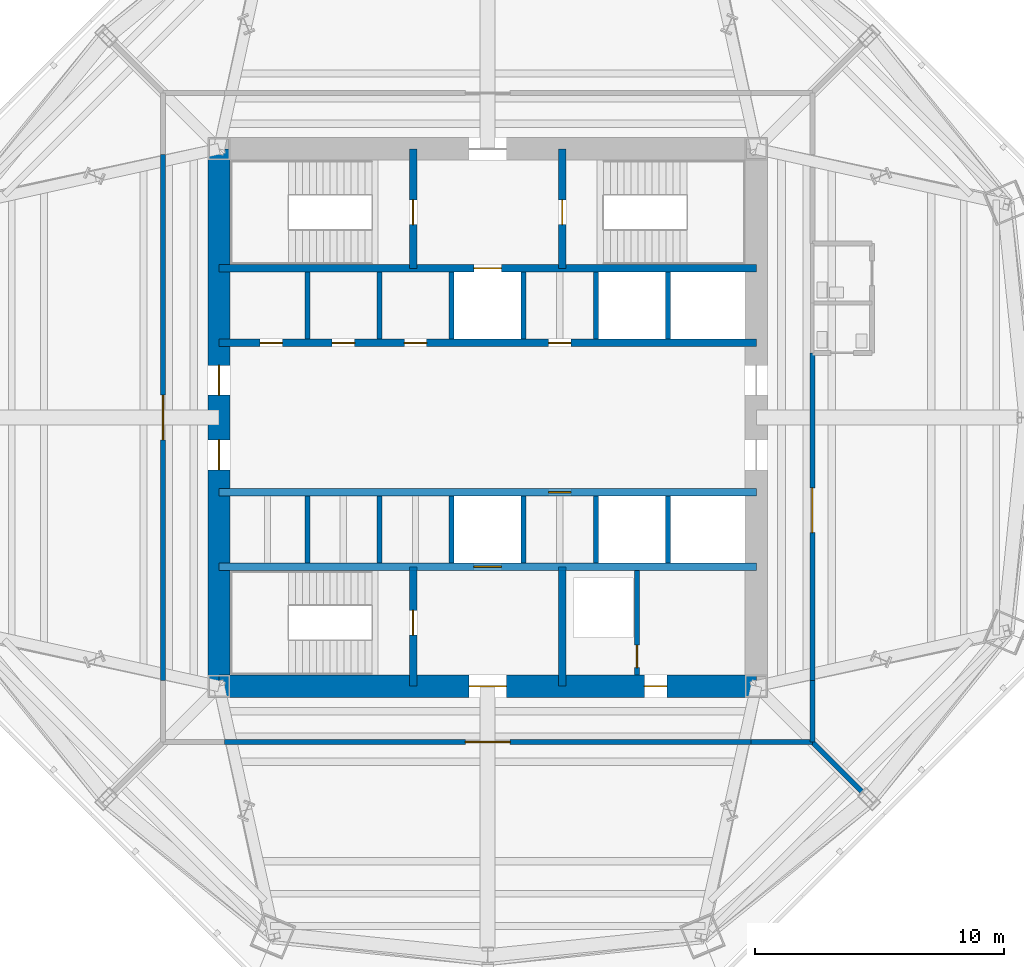
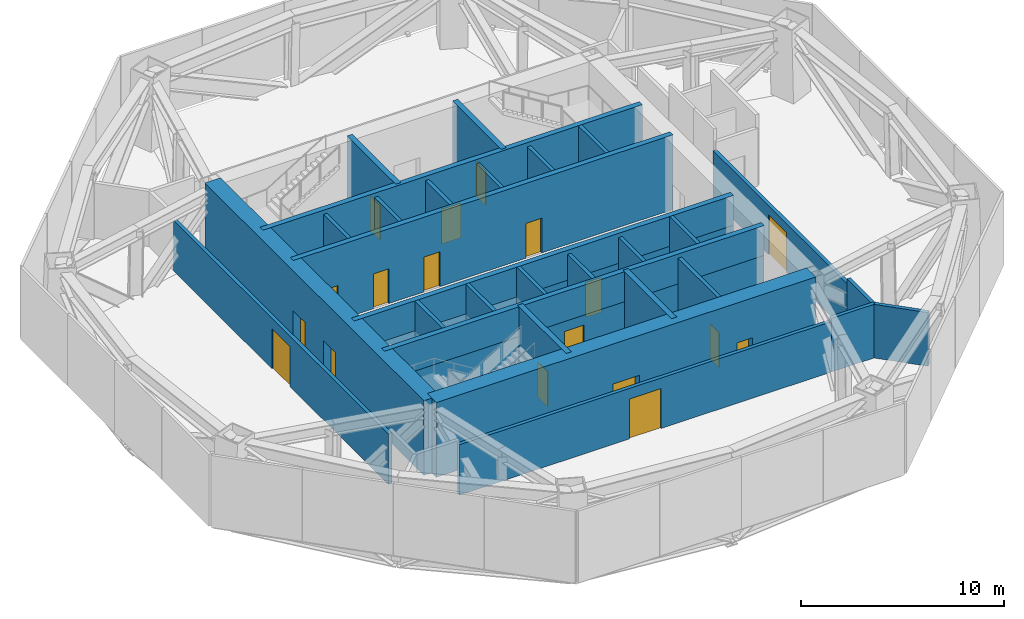
# One storey, part 5 of 10: 31 walls, 18 doors, 18 openings.
"""IFC4 building model written with IfcOpenShell, lengths in metres."""

from ifc_helpers import new_model, si_unit, direction, frame, frame_2d, origin, place, context, subcontext, project, spatial, rectangle, extrude, material, layer, layer_set, type_object, element, fill, save


model = new_model("IFC4")

# Units and contexts
model_context = context("Model", 3, precision=1e-05, world=origin(), true_north=direction((0.0, 1.0)))
body_context = subcontext(model_context, "Body", "Model", "MODEL_VIEW")
ifc_project = project(units=[si_unit("LENGTHUNIT", "METRE"), si_unit("AREAUNIT", "SQUARE_METRE"), si_unit("VOLUMEUNIT", "CUBIC_METRE"), si_unit("PLANEANGLEUNIT", "RADIAN"), si_unit("MASSUNIT", "GRAM", prefix="KILO")], contexts=[model_context])

# Site, building, storey
site_placement = place(None, origin())
site = spatial("IfcSite", under=ifc_project, at=site_placement, CompositionType="ELEMENT")
building_placement = place(site_placement, origin())
building = spatial("IfcBuilding", under=site, at=building_placement, Name="Mashrafa Tower", CompositionType="ELEMENT")
storey_placement = place(building_placement, frame((0.0, 0.0, 193.5)))
storey = spatial("IfcBuildingStorey", under=building, at=storey_placement, Name="L44", CompositionType="ELEMENT", Elevation=193.5)

# Wall
ifc_material_1 = material(Name="Concrete masonry unit", Category="masonry")
ifc_layer_1 = layer(ifc_material_1, 0.199951171875)
ifc_layer_set_1 = layer_set([ifc_layer_1], Name="Blockwork wall 200 2 hr")
wall_type_1 = type_object("IfcWallType", Name="Blockwork wall 200 2 hr", PredefinedType="PARTITIONING", material=ifc_layer_set_1)
wall_1_placement = place(storey_placement, frame((13.050048828125, -13.050048828125, 0.0), z_axis=(0.0, 0.0, 1.0), x_axis=(0.0, 1.0, 0.0)))
element("IfcWall", 1, at=wall_1_placement, inside=storey, type_object=wall_type_1, Name="Blockwork wall L44-003", PredefinedType="PARTITIONING", context=body_context, shape_type="SweptSolid", body=[
    extrude(rectangle(XDim=2.46923828125, YDim=0.199951171875, at=frame_2d((1.234619140625, 0.0))), origin(), (0.0, 0.0, 1.0), 3.22900390625),
])

# Wall, opening, door
wall_2_placement = place(storey_placement, frame((13.050048828125, -10.578857421875, 0.0), z_axis=(0.0, 0.0, 1.0), x_axis=(0.0, 1.0, 0.0)))
wall_2 = element("IfcWall", 2, at=wall_2_placement, inside=storey, type_object=wall_type_1, Name="Blockwork wall L44-004", PredefinedType="PARTITIONING", context=body_context, shape_type="SweptSolid", body=[
    extrude(rectangle(XDim=13.179931640625, YDim=0.199951171875, at=frame_2d((6.58984375, 0.0))), origin(), (0.0, 0.0, 1.0), 2.93994140625),
])
opening_1_placement = place(wall_2_placement, frame((5.94970703125, 0.0, 0.0)))
opening_1 = element("IfcOpeningElement", 3, at=opening_1_placement, cuts=wall_2, Name="Opening 44.003", PredefinedType="OPENING", context=body_context, shape_type="SweptSolid", body=[
    extrude(rectangle(XDim=1.800048828125, YDim=2.39990234375, at=frame_2d((0.89990234375, 1.199951171875))), frame((0.0, 0.10986328125, 0.0), z_axis=(0.0, -1.0, 0.0), x_axis=(1.0, 0.0, 0.0)), (0.0, 0.0, 1.0), 0.219970703125),
])
ifc_material_2 = material(Name="Steel door", Category="steel")
door_type_1 = type_object("IfcDoorType", Name="Door pair 1800 x 2400 90 min", OperationType="DOUBLE_DOOR_SINGLE_SWING", PredefinedType="DOOR", material=ifc_material_2)
door_1_placement = place(opening_1_placement, origin())
door_1 = element("IfcDoor", 4, at=door_1_placement, inside=storey, type_object=door_type_1, Name="Refuge Area L44 East door", OperationType="DOUBLE_DOOR_SINGLE_SWING", OverallHeight=2.39990234375, OverallWidth=1.800048828125, PredefinedType="DOOR", context=body_context, shape_type="SweptSolid", body=[
    extrude(rectangle(XDim=1.800048828125, YDim=2.39990234375, at=frame_2d((0.89990234375, 1.199951171875))), frame((0.0, 0.02490234375, 0.0), z_axis=(0.0, -1.0, 0.0), x_axis=(1.0, 0.0, 0.0)), (0.0, 0.0, 1.0), 0.050048828125),
])
fill(opening_1, door_1)

wall_3_placement = place(storey_placement, frame((-13.050048828125, 10.578857421875, 0.0), z_axis=(0.0, 0.0, 1.0), x_axis=(0.0, -1.0, 0.0)))
wall_3 = element("IfcWall", 5, at=wall_3_placement, inside=storey, type_object=wall_type_1, Name="Blockwork wall L44-008", PredefinedType="PARTITIONING", context=body_context, shape_type="SweptSolid", body=[
    extrude(rectangle(XDim=21.15771484375, YDim=0.199951171875, at=frame_2d((10.578857421875, 0.0))), origin(), (0.0, 0.0, 1.0), 3.0400390625),
])
opening_2_placement = place(wall_3_placement, frame((9.678955078125, 0.0, 0.0)))
opening_2 = element("IfcOpeningElement", 6, at=opening_2_placement, cuts=wall_3, Name="Opening 44.004", PredefinedType="OPENING", context=body_context, shape_type="SweptSolid", body=[
    extrude(rectangle(XDim=1.800048828125, YDim=2.39990234375, at=frame_2d((0.89990234375, 1.199951171875))), frame((0.0, 0.10986328125, 0.0), z_axis=(0.0, -1.0, 0.0), x_axis=(1.0, 0.0, 0.0)), (0.0, 0.0, 1.0), 0.219970703125),
])
door_2_placement = place(opening_2_placement, origin())
door_2 = element("IfcDoor", 7, at=door_2_placement, inside=storey, type_object=door_type_1, Name="Refuge Area L44 West door", OperationType="DOUBLE_DOOR_SINGLE_SWING", OverallHeight=2.39990234375, OverallWidth=1.800048828125, PredefinedType="DOOR", context=body_context, shape_type="SweptSolid", body=[
    extrude(rectangle(XDim=1.800048828125, YDim=2.39990234375, at=frame_2d((0.89990234375, 1.199951171875))), frame((0.0, 0.02490234375, 0.0), z_axis=(0.0, -1.0, 0.0), x_axis=(1.0, 0.0, 0.0)), (0.0, 0.0, 1.0), 0.050048828125),
])
fill(opening_2, door_2)

wall_4_placement = place(storey_placement, frame((-10.578857421875, -13.050048828125, 0.0), z_axis=(0.0, 0.0, 1.0), x_axis=(1.0, 0.0, 0.0)))
wall_4 = element("IfcWall", 8, at=wall_4_placement, inside=storey, type_object=wall_type_1, Name="Blockwork wall L44-014", PredefinedType="PARTITIONING", context=body_context, shape_type="SweptSolid", body=[
    extrude(rectangle(XDim=21.15771484375, YDim=0.199951171875, at=frame_2d((10.578857421875, 0.0))), origin(), (0.0, 0.0, 1.0), 3.0400390625),
])
opening_3_placement = place(wall_4_placement, frame((9.678955078125, 0.0, 0.0)))
opening_3 = element("IfcOpeningElement", 9, at=opening_3_placement, cuts=wall_4, Name="Opening 44.006", PredefinedType="OPENING", context=body_context, shape_type="SweptSolid", body=[
    extrude(rectangle(XDim=1.800048828125, YDim=2.39990234375, at=frame_2d((0.89990234375, 1.199951171875))), frame((0.0, 0.10986328125, 0.0), z_axis=(0.0, -1.0, 0.0), x_axis=(1.0, 0.0, 0.0)), (0.0, 0.0, 1.0), 0.219970703125),
])
door_3_placement = place(opening_3_placement, frame((1.800048828125, 0.0, 0.0), z_axis=(0.0, 0.0, 1.0), x_axis=(-1.0, 0.0, 0.0)))
door_3 = element("IfcDoor", 10, at=door_3_placement, inside=storey, type_object=door_type_1, Name="Transfer Water Tank Room L44 door", OperationType="DOUBLE_DOOR_SINGLE_SWING", OverallHeight=2.39990234375, OverallWidth=1.800048828125, PredefinedType="DOOR", context=body_context, shape_type="SweptSolid", body=[
    extrude(rectangle(XDim=1.800048828125, YDim=2.39990234375, at=frame_2d((0.89990234375, 1.199951171875))), frame((0.0, 0.02490234375, 0.0), z_axis=(0.0, -1.0, 0.0), x_axis=(1.0, 0.0, 0.0)), (0.0, 0.0, 1.0), 0.050048828125),
])
fill(opening_3, door_3)

# Walls
wall_5_placement = place(storey_placement, frame((10.580810546875, -13.050048828125, 0.0), z_axis=(0.0, 0.0, 1.0), x_axis=(1.0, 0.0, 0.0)))
element("IfcWall", 11, at=wall_5_placement, inside=storey, type_object=wall_type_1, Name="Blockwork wall L44-015", PredefinedType="PARTITIONING", context=body_context, shape_type="SweptSolid", body=[
    extrude(rectangle(XDim=2.46923828125, YDim=0.199951171875, at=frame_2d((1.234619140625, 0.0))), origin(), (0.0, 0.0, 1.0), 3.22900390625),
])
wall_6_placement = place(storey_placement, frame((13.050048828125, -13.050048828125, 0.0), z_axis=(0.0, 0.0, 1.0), x_axis=(0.707106781187, -0.707106781187, 0.0)))
element("IfcWall", 12, at=wall_6_placement, inside=storey, type_object=wall_type_1, Name="Blockwork wall L44-022", PredefinedType="PARTITIONING", context=body_context, shape_type="SweptSolid", body=[
    extrude(rectangle(XDim=2.808837890625, YDim=0.199951171875, at=frame_2d((1.404296875, 0.0))), origin(), (0.0, 0.0, 1.0), 3.22900390625),
])

# Wall, opening, door
wall_7_placement = place(storey_placement, frame((6.0, -10.35009765625, 0.0), z_axis=(0.0, 0.0, 1.0), x_axis=(0.0, 1.0, 0.0)))
wall_7 = element("IfcWall", 13, at=wall_7_placement, inside=storey, type_object=wall_type_1, Name="Riser enclosure wall L44", PredefinedType="PARTITIONING", context=body_context, shape_type="SweptSolid", body=[
    extrude(rectangle(XDim=4.2001953125, YDim=0.199951171875, at=frame_2d((2.10009765625, 0.0))), origin(), (0.0, 0.0, 1.0), 4.25),
])
opening_4_placement = place(wall_7_placement, frame((0.300048828125, 0.0, 0.0)))
opening_4 = element("IfcOpeningElement", 14, at=opening_4_placement, cuts=wall_7, Name="Opening 44.017", PredefinedType="OPENING", context=body_context, shape_type="SweptSolid", body=[
    extrude(rectangle(XDim=0.89990234375, YDim=2.10009765625, at=frame_2d((0.449951171875, 1.050048828125))), frame((0.0, 0.10986328125, 0.0), z_axis=(0.0, -1.0, 0.0), x_axis=(1.0, 0.0, 0.0)), (0.0, 0.0, 1.0), 0.219970703125),
])
ifc_material_3 = material(Name="Steel door", Category="steel")
door_type_2 = type_object("IfcDoorType", Name="Service door 900 x 2100 90 min", OperationType="USERDEFINED", PredefinedType="DOOR", material=ifc_material_3)
door_4_placement = place(opening_4_placement, origin())
door_4 = element("IfcDoor", 15, at=door_4_placement, inside=storey, type_object=door_type_2, Name="Riser door L44", OperationType="SINGLE_SWING_LEFT", OverallHeight=2.10009765625, OverallWidth=0.89990234375, PredefinedType="DOOR", context=body_context, shape_type="SweptSolid", body=[
    extrude(rectangle(XDim=0.89990234375, YDim=2.10009765625, at=frame_2d((0.449951171875, 1.050048828125))), frame((0.0, 0.02490234375, 0.0), z_axis=(0.0, -1.0, 0.0), x_axis=(1.0, 0.0, 0.0)), (0.0, 0.0, 1.0), 0.050048828125),
])
fill(opening_4, door_4)

# Wall, openings, doors
ifc_material_4 = material(Name="Concrete C60/75", Category="concrete")
ifc_layer_2 = layer(ifc_material_4, 0.300048828125)
ifc_layer_set_2 = layer_set([ifc_layer_2], Name="Core wall 300 C60/75")
wall_type_2 = type_object("IfcWallType", Name="Core wall 300 C60/75", PredefinedType="SOLIDWALL", material=ifc_layer_set_2)
wall_8_placement = place(storey_placement, frame((-10.800048828125, 3.0, 0.0), z_axis=(0.0, 0.0, 1.0), x_axis=(1.0, 0.0, 0.0)))
wall_8 = element("IfcWall", 16, at=wall_8_placement, inside=storey, type_object=wall_type_2, Name="Core wall CH-N L44", PredefinedType="SOLIDWALL", context=body_context, shape_type="SweptSolid", body=[
    extrude(rectangle(XDim=21.60009765625, YDim=0.300048828125, at=frame_2d((10.800048828125, 0.0))), origin(), (0.0, 0.0, 1.0), 4.5),
])
opening_5_placement = place(wall_8_placement, frame((1.64990234375, 0.0, 0.0)))
opening_5 = element("IfcOpeningElement", 17, at=opening_5_placement, cuts=wall_8, Name="Opening 44.018", PredefinedType="OPENING", context=body_context, shape_type="SweptSolid", body=[
    extrude(rectangle(XDim=0.89990234375, YDim=2.10009765625, at=frame_2d((0.449951171875, 1.050048828125))), frame((0.0, 0.159912109375, 0.0), z_axis=(0.0, -1.0, 0.0), x_axis=(1.0, 0.0, 0.0)), (0.0, 0.0, 1.0), 0.320068359375),
])
opening_6_placement = place(wall_8_placement, frame((4.550048828125, 0.0, 0.0)))
opening_6 = element("IfcOpeningElement", 18, at=opening_6_placement, cuts=wall_8, Name="Opening 44.019", PredefinedType="OPENING", context=body_context, shape_type="SweptSolid", body=[
    extrude(rectangle(XDim=0.89990234375, YDim=2.10009765625, at=frame_2d((0.449951171875, 1.050048828125))), frame((0.0, 0.159912109375, 0.0), z_axis=(0.0, -1.0, 0.0), x_axis=(1.0, 0.0, 0.0)), (0.0, 0.0, 1.0), 0.320068359375),
])
opening_7_placement = place(wall_8_placement, frame((7.449951171875, 0.0, 0.0)))
opening_7 = element("IfcOpeningElement", 19, at=opening_7_placement, cuts=wall_8, Name="Opening 44.020", PredefinedType="OPENING", context=body_context, shape_type="SweptSolid", body=[
    extrude(rectangle(XDim=0.89990234375, YDim=2.10009765625, at=frame_2d((0.449951171875, 1.050048828125))), frame((0.0, 0.159912109375, 0.0), z_axis=(0.0, -1.0, 0.0), x_axis=(1.0, 0.0, 0.0)), (0.0, 0.0, 1.0), 0.320068359375),
])
opening_8_placement = place(wall_8_placement, frame((13.25, 0.0, 0.0)))
opening_8 = element("IfcOpeningElement", 20, at=opening_8_placement, cuts=wall_8, Name="Opening 44.021", PredefinedType="OPENING", context=body_context, shape_type="SweptSolid", body=[
    extrude(rectangle(XDim=0.89990234375, YDim=2.10009765625, at=frame_2d((0.449951171875, 1.050048828125))), frame((0.0, 0.159912109375, 0.0), z_axis=(0.0, -1.0, 0.0), x_axis=(1.0, 0.0, 0.0)), (0.0, 0.0, 1.0), 0.320068359375),
])
ifc_material_5 = material(Name="Timber door", Category="wood")
door_type_3 = type_object("IfcDoorType", Name="Store door 900 x 2100", OperationType="USERDEFINED", PredefinedType="DOOR", material=ifc_material_5)
door_5_placement = place(opening_5_placement, origin())
door_5 = element("IfcDoor", 21, at=door_5_placement, inside=storey, type_object=door_type_3, Name="Plant Store L44-A1 door", OperationType="SINGLE_SWING_RIGHT", OverallHeight=2.10009765625, OverallWidth=0.89990234375, PredefinedType="DOOR", context=body_context, shape_type="SweptSolid", body=[
    extrude(rectangle(XDim=0.89990234375, YDim=2.10009765625, at=frame_2d((0.449951171875, 1.050048828125))), frame((0.0, 0.02490234375, 0.0), z_axis=(0.0, -1.0, 0.0), x_axis=(1.0, 0.0, 0.0)), (0.0, 0.0, 1.0), 0.050048828125),
])
fill(opening_5, door_5)
door_6_placement = place(opening_6_placement, origin())
door_6 = element("IfcDoor", 22, at=door_6_placement, inside=storey, type_object=door_type_3, Name="Plant Store L44-A2 door", OperationType="SINGLE_SWING_LEFT", OverallHeight=2.10009765625, OverallWidth=0.89990234375, PredefinedType="DOOR", context=body_context, shape_type="SweptSolid", body=[
    extrude(rectangle(XDim=0.89990234375, YDim=2.10009765625, at=frame_2d((0.449951171875, 1.050048828125))), frame((0.0, 0.02490234375, 0.0), z_axis=(0.0, -1.0, 0.0), x_axis=(1.0, 0.0, 0.0)), (0.0, 0.0, 1.0), 0.050048828125),
])
fill(opening_6, door_6)
door_7_placement = place(opening_7_placement, origin())
door_7 = element("IfcDoor", 23, at=door_7_placement, inside=storey, type_object=door_type_3, Name="Plant Store L44-A3 door", OperationType="SINGLE_SWING_LEFT", OverallHeight=2.10009765625, OverallWidth=0.89990234375, PredefinedType="DOOR", context=body_context, shape_type="SweptSolid", body=[
    extrude(rectangle(XDim=0.89990234375, YDim=2.10009765625, at=frame_2d((0.449951171875, 1.050048828125))), frame((0.0, 0.02490234375, 0.0), z_axis=(0.0, -1.0, 0.0), x_axis=(1.0, 0.0, 0.0)), (0.0, 0.0, 1.0), 0.050048828125),
])
fill(opening_7, door_7)
door_8_placement = place(opening_8_placement, origin())
door_8 = element("IfcDoor", 24, at=door_8_placement, inside=storey, type_object=door_type_3, Name="Plant Store L44-A4 door", OperationType="SINGLE_SWING_LEFT", OverallHeight=2.10009765625, OverallWidth=0.89990234375, PredefinedType="DOOR", context=body_context, shape_type="SweptSolid", body=[
    extrude(rectangle(XDim=0.89990234375, YDim=2.10009765625, at=frame_2d((0.449951171875, 1.050048828125))), frame((0.0, 0.02490234375, 0.0), z_axis=(0.0, -1.0, 0.0), x_axis=(1.0, 0.0, 0.0)), (0.0, 0.0, 1.0), 0.050048828125),
])
fill(opening_8, door_8)

# Wall, opening, door
wall_9_placement = place(storey_placement, frame((-10.800048828125, 6.0, 0.0), z_axis=(0.0, 0.0, 1.0), x_axis=(1.0, 0.0, 0.0)))
wall_9 = element("IfcWall", 25, at=wall_9_placement, inside=storey, type_object=wall_type_2, Name="Core wall CB-N L44", PredefinedType="SOLIDWALL", context=body_context, shape_type="SweptSolid", body=[
    extrude(rectangle(XDim=21.60009765625, YDim=0.300048828125, at=frame_2d((10.800048828125, 0.0))), origin(), (0.0, 0.0, 1.0), 4.5),
])
opening_9_placement = place(wall_9_placement, frame((10.25, 0.0, 0.0)))
opening_9 = element("IfcOpeningElement", 26, at=opening_9_placement, cuts=wall_9, Name="Opening 44.F1", PredefinedType="OPENING", context=body_context, shape_type="SweptSolid", body=[
    extrude(rectangle(XDim=1.10009765625, YDim=2.10009765625, at=frame_2d((0.550048828125, 1.050048828125))), frame((0.0, 0.159912109375, 0.0), z_axis=(0.0, -1.0, 0.0), x_axis=(1.0, 0.0, 0.0)), (0.0, 0.0, 1.0), 0.320068359375),
])
ifc_material_6 = material(Name="Steel door", Category="steel")
door_type_4 = type_object("IfcDoorType", Name="Lift landing door 1100 x 2100 90 min", OperationType="DOUBLE_DOOR_SLIDING", PredefinedType="DOOR", material=ifc_material_6)
door_9_placement = place(opening_9_placement, origin())
door_9 = element("IfcDoor", 27, at=door_9_placement, inside=storey, type_object=door_type_4, Name="Lift landing door F1 L44", OperationType="DOUBLE_DOOR_SLIDING", OverallHeight=2.10009765625, OverallWidth=1.10009765625, PredefinedType="DOOR", context=body_context, shape_type="SweptSolid", body=[
    extrude(rectangle(XDim=1.10009765625, YDim=2.10009765625, at=frame_2d((0.550048828125, 1.050048828125))), frame((0.0, 0.02490234375, 0.0), z_axis=(0.0, -1.0, 0.0), x_axis=(1.0, 0.0, 0.0)), (0.0, 0.0, 1.0), 0.050048828125),
])
fill(opening_9, door_9)

wall_10_placement = place(storey_placement, frame((-3.0, 6.0, 0.0), z_axis=(0.0, 0.0, 1.0), x_axis=(0.0, 1.0, 0.0)))
wall_10 = element("IfcWall", 28, at=wall_10_placement, inside=storey, type_object=wall_type_2, Name="Core wall CX-NW L44", PredefinedType="SOLIDWALL", context=body_context, shape_type="SweptSolid", body=[
    extrude(rectangle(XDim=4.800048828125, YDim=0.300048828125, at=frame_2d((2.39990234375, 0.0))), origin(), (0.0, 0.0, 1.0), 4.5),
])
opening_10_placement = place(wall_10_placement, frame((1.75, 0.0, 0.0)))
opening_10 = element("IfcOpeningElement", 29, at=opening_10_placement, cuts=wall_10, Name="Opening 44.013", PredefinedType="OPENING", context=body_context, shape_type="SweptSolid", body=[
    extrude(rectangle(XDim=1.0, YDim=2.10009765625, at=frame_2d((0.5, 1.050048828125))), frame((0.0, 0.159912109375, 0.0), z_axis=(0.0, -1.0, 0.0), x_axis=(1.0, 0.0, 0.0)), (0.0, 0.0, 1.0), 0.320068359375),
])
ifc_material_7 = material(Name="Steel door", Category="steel")
door_type_5 = type_object("IfcDoorType", Name="Stair door 1000 x 2100 90 min", OperationType="USERDEFINED", PredefinedType="DOOR", material=ifc_material_7)
door_10_placement = place(opening_10_placement, origin())
door_10 = element("IfcDoor", 30, at=door_10_placement, inside=storey, type_object=door_type_5, Name="Stair S1 door L44", OperationType="SINGLE_SWING_LEFT", OverallHeight=2.10009765625, OverallWidth=1.0, PredefinedType="DOOR", context=body_context, shape_type="SweptSolid", body=[
    extrude(rectangle(XDim=1.0, YDim=2.10009765625, at=frame_2d((0.5, 1.050048828125))), frame((0.0, 0.02490234375, 0.0), z_axis=(0.0, -1.0, 0.0), x_axis=(1.0, 0.0, 0.0)), (0.0, 0.0, 1.0), 0.050048828125),
])
fill(opening_10, door_10)

wall_11_placement = place(storey_placement, frame((3.0, 6.0, 0.0), z_axis=(0.0, 0.0, 1.0), x_axis=(0.0, 1.0, 0.0)))
wall_11 = element("IfcWall", 31, at=wall_11_placement, inside=storey, type_object=wall_type_2, Name="Core wall CX-NE L44", PredefinedType="SOLIDWALL", context=body_context, shape_type="SweptSolid", body=[
    extrude(rectangle(XDim=4.800048828125, YDim=0.300048828125, at=frame_2d((2.39990234375, 0.0))), origin(), (0.0, 0.0, 1.0), 4.5),
])
opening_11_placement = place(wall_11_placement, frame((1.75, 0.0, 0.0)))
opening_11 = element("IfcOpeningElement", 32, at=opening_11_placement, cuts=wall_11, Name="Opening 44.014", PredefinedType="OPENING", context=body_context, shape_type="SweptSolid", body=[
    extrude(rectangle(XDim=1.0, YDim=2.10009765625, at=frame_2d((0.5, 1.050048828125))), frame((0.0, 0.159912109375, 0.0), z_axis=(0.0, -1.0, 0.0), x_axis=(1.0, 0.0, 0.0)), (0.0, 0.0, 1.0), 0.320068359375),
])
door_11_placement = place(opening_11_placement, frame((1.0, 0.0, 0.0), z_axis=(0.0, 0.0, 1.0), x_axis=(-1.0, 0.0, 0.0)))
door_11 = element("IfcDoor", 33, at=door_11_placement, inside=storey, type_object=door_type_5, Name="Stair S2 door L44", OperationType="SINGLE_SWING_RIGHT", OverallHeight=2.10009765625, OverallWidth=1.0, PredefinedType="DOOR", context=body_context, shape_type="SweptSolid", body=[
    extrude(rectangle(XDim=1.0, YDim=2.10009765625, at=frame_2d((0.5, 1.050048828125))), frame((0.0, 0.02490234375, 0.0), z_axis=(0.0, -1.0, 0.0), x_axis=(1.0, 0.0, 0.0)), (0.0, 0.0, 1.0), 0.050048828125),
])
fill(opening_11, door_11)

wall_12_placement = place(storey_placement, frame((-10.800048828125, -3.0, 0.0), z_axis=(0.0, 0.0, 1.0), x_axis=(1.0, 0.0, 0.0)))
wall_12 = element("IfcWall", 34, at=wall_12_placement, inside=storey, type_object=wall_type_2, Name="Core wall CH-S L44", PredefinedType="SOLIDWALL", context=body_context, shape_type="SweptSolid", body=[
    extrude(rectangle(XDim=21.60009765625, YDim=0.300048828125, at=frame_2d((10.800048828125, 0.0))), origin(), (0.0, 0.0, 1.0), 2.699951171875),
])
opening_12_placement = place(wall_12_placement, frame((13.25, 0.0, 0.0)))
opening_12 = element("IfcOpeningElement", 35, at=opening_12_placement, cuts=wall_12, Name="Opening 44.022", PredefinedType="OPENING", context=body_context, shape_type="SweptSolid", body=[
    extrude(rectangle(XDim=0.89990234375, YDim=2.10009765625, at=frame_2d((0.449951171875, 1.050048828125))), frame((0.0, 0.159912109375, 0.0), z_axis=(0.0, -1.0, 0.0), x_axis=(1.0, 0.0, 0.0)), (0.0, 0.0, 1.0), 0.320068359375),
])
door_12_placement = place(opening_12_placement, frame((0.89990234375, 0.0, 0.0), z_axis=(0.0, 0.0, 1.0), x_axis=(-1.0, 0.0, 0.0)))
door_12 = element("IfcDoor", 36, at=door_12_placement, inside=storey, type_object=door_type_3, Name="Plant Store L44-B4 door", OperationType="SINGLE_SWING_RIGHT", OverallHeight=2.10009765625, OverallWidth=0.89990234375, PredefinedType="DOOR", context=body_context, shape_type="SweptSolid", body=[
    extrude(rectangle(XDim=0.89990234375, YDim=2.10009765625, at=frame_2d((0.449951171875, 1.050048828125))), frame((0.0, 0.02490234375, 0.0), z_axis=(0.0, -1.0, 0.0), x_axis=(1.0, 0.0, 0.0)), (0.0, 0.0, 1.0), 0.050048828125),
])
fill(opening_12, door_12)

# Wall
wall_13_placement = place(storey_placement, frame((-10.800048828125, -3.0, 2.699951171875), z_axis=(0.0, 0.0, 1.0), x_axis=(1.0, 0.0, 0.0)))
element("IfcWall", 37, at=wall_13_placement, inside=storey, type_object=wall_type_2, Name="Core wall CH-S L44 above pit floor", PredefinedType="SOLIDWALL", context=body_context, shape_type="SweptSolid", body=[
    extrude(rectangle(XDim=21.60009765625, YDim=0.300048828125, at=frame_2d((10.800048828125, 0.0))), origin(), (0.0, 0.0, 1.0), 1.800048828125),
])

# Wall, opening, door
wall_14_placement = place(storey_placement, frame((-10.800048828125, -6.0, 0.0), z_axis=(0.0, 0.0, 1.0), x_axis=(1.0, 0.0, 0.0)))
wall_14 = element("IfcWall", 38, at=wall_14_placement, inside=storey, type_object=wall_type_2, Name="Core wall CB-S L44", PredefinedType="SOLIDWALL", context=body_context, shape_type="SweptSolid", body=[
    extrude(rectangle(XDim=21.60009765625, YDim=0.300048828125, at=frame_2d((10.800048828125, 0.0))), origin(), (0.0, 0.0, 1.0), 2.699951171875),
])
opening_13_placement = place(wall_14_placement, frame((10.25, 0.0, 0.0)))
opening_13 = element("IfcOpeningElement", 39, at=opening_13_placement, cuts=wall_14, Name="Opening 44.F2", PredefinedType="OPENING", context=body_context, shape_type="SweptSolid", body=[
    extrude(rectangle(XDim=1.10009765625, YDim=2.10009765625, at=frame_2d((0.550048828125, 1.050048828125))), frame((0.0, 0.159912109375, 0.0), z_axis=(0.0, -1.0, 0.0), x_axis=(1.0, 0.0, 0.0)), (0.0, 0.0, 1.0), 0.320068359375),
])
door_13_placement = place(opening_13_placement, origin())
door_13 = element("IfcDoor", 40, at=door_13_placement, inside=storey, type_object=door_type_4, Name="Lift landing door F2 L44", OperationType="DOUBLE_DOOR_SLIDING", OverallHeight=2.10009765625, OverallWidth=1.10009765625, PredefinedType="DOOR", context=body_context, shape_type="SweptSolid", body=[
    extrude(rectangle(XDim=1.10009765625, YDim=2.10009765625, at=frame_2d((0.550048828125, 1.050048828125))), frame((0.0, 0.02490234375, 0.0), z_axis=(0.0, -1.0, 0.0), x_axis=(1.0, 0.0, 0.0)), (0.0, 0.0, 1.0), 0.050048828125),
])
fill(opening_13, door_13)

# Wall
wall_15_placement = place(storey_placement, frame((-10.800048828125, -6.0, 2.699951171875), z_axis=(0.0, 0.0, 1.0), x_axis=(1.0, 0.0, 0.0)))
element("IfcWall", 41, at=wall_15_placement, inside=storey, type_object=wall_type_2, Name="Core wall CB-S L44 above pit floor", PredefinedType="SOLIDWALL", context=body_context, shape_type="SweptSolid", body=[
    extrude(rectangle(XDim=21.60009765625, YDim=0.300048828125, at=frame_2d((10.800048828125, 0.0))), origin(), (0.0, 0.0, 1.0), 1.800048828125),
])

# Wall, opening, door
wall_16_placement = place(storey_placement, frame((-3.0, -6.0, 0.0), z_axis=(0.0, 0.0, 1.0), x_axis=(0.0, -1.0, 0.0)))
wall_16 = element("IfcWall", 42, at=wall_16_placement, inside=storey, type_object=wall_type_2, Name="Core wall CX-SW L44", PredefinedType="SOLIDWALL", context=body_context, shape_type="SweptSolid", body=[
    extrude(rectangle(XDim=4.800048828125, YDim=0.300048828125, at=frame_2d((2.39990234375, 0.0))), origin(), (0.0, 0.0, 1.0), 4.5),
])
opening_14_placement = place(wall_16_placement, frame((1.75, 0.0, 0.0)))
opening_14 = element("IfcOpeningElement", 43, at=opening_14_placement, cuts=wall_16, Name="Opening 44.015", PredefinedType="OPENING", context=body_context, shape_type="SweptSolid", body=[
    extrude(rectangle(XDim=1.0, YDim=2.10009765625, at=frame_2d((0.5, 1.050048828125))), frame((0.0, 0.159912109375, 0.0), z_axis=(0.0, -1.0, 0.0), x_axis=(1.0, 0.0, 0.0)), (0.0, 0.0, 1.0), 0.320068359375),
])
door_14_placement = place(opening_14_placement, frame((1.0, 0.0, 0.0), z_axis=(0.0, 0.0, 1.0), x_axis=(-1.0, 0.0, 0.0)))
door_14 = element("IfcDoor", 44, at=door_14_placement, inside=storey, type_object=door_type_5, Name="Stair S3 door L44", OperationType="SINGLE_SWING_RIGHT", OverallHeight=2.10009765625, OverallWidth=1.0, PredefinedType="DOOR", context=body_context, shape_type="SweptSolid", body=[
    extrude(rectangle(XDim=1.0, YDim=2.10009765625, at=frame_2d((0.5, 1.050048828125))), frame((0.0, 0.02490234375, 0.0), z_axis=(0.0, -1.0, 0.0), x_axis=(1.0, 0.0, 0.0)), (0.0, 0.0, 1.0), 0.050048828125),
])
fill(opening_14, door_14)

# Wall
wall_17_placement = place(storey_placement, frame((3.0, -6.0, 0.0), z_axis=(0.0, 0.0, 1.0), x_axis=(0.0, -1.0, 0.0)))
element("IfcWall", 45, at=wall_17_placement, inside=storey, type_object=wall_type_2, Name="Core wall CX-SE L44", PredefinedType="SOLIDWALL", context=body_context, shape_type="SweptSolid", body=[
    extrude(rectangle(XDim=4.800048828125, YDim=0.300048828125, at=frame_2d((2.39990234375, 0.0))), origin(), (0.0, 0.0, 1.0), 4.5),
])

# Wall, openings, doors
ifc_material_8 = material(Name="Concrete C60/75", Category="concrete")
ifc_layer_3 = layer(ifc_material_8, 0.89990234375)
ifc_layer_set_3 = layer_set([ifc_layer_3], Name="Core wall 900 C60/75")
wall_type_3 = type_object("IfcWallType", Name="Core wall 900 C60/75", PredefinedType="SOLIDWALL", material=ifc_layer_set_3)
wall_18_placement = place(storey_placement, frame((-10.800048828125, -10.800048828125, 0.0), z_axis=(0.0, 0.0, 1.0), x_axis=(1.0, 0.0, 0.0)))
wall_18 = element("IfcWall", 46, at=wall_18_placement, inside=storey, type_object=wall_type_3, Name="Core wall CW-S L44", PredefinedType="SOLIDWALL", context=body_context, shape_type="SweptSolid", body=[
    extrude(rectangle(XDim=21.60009765625, YDim=0.89990234375, at=frame_2d((10.800048828125, 0.0))), origin(), (0.0, 0.0, 1.0), 4.5),
])
opening_15_placement = place(wall_18_placement, frame((10.050048828125, 0.0, 0.0)))
opening_15 = element("IfcOpeningElement", 47, at=opening_15_placement, cuts=wall_18, Name="Opening 44.012", PredefinedType="OPENING", context=body_context, shape_type="SweptSolid", body=[
    extrude(rectangle(XDim=1.5, YDim=2.10009765625, at=frame_2d((0.75, 1.050048828125))), frame((0.0, 0.4599609375, 0.0), z_axis=(0.0, -1.0, 0.0), x_axis=(1.0, 0.0, 0.0)), (0.0, 0.0, 1.0), 0.919921875),
])
opening_16_placement = place(wall_18_placement, frame((17.10009765625, 0.0, 0.0)))
opening_16 = element("IfcOpeningElement", 48, at=opening_16_placement, cuts=wall_18, Name="Opening 44.016", PredefinedType="OPENING", context=body_context, shape_type="SweptSolid", body=[
    extrude(rectangle(XDim=0.89990234375, YDim=2.10009765625, at=frame_2d((0.449951171875, 1.050048828125))), frame((0.0, 0.4599609375, 0.0), z_axis=(0.0, -1.0, 0.0), x_axis=(1.0, 0.0, 0.0)), (0.0, 0.0, 1.0), 0.919921875),
])
ifc_material_9 = material(Name="Steel door", Category="steel")
door_type_6 = type_object("IfcDoorType", Name="Lobby door pair 1500 x 2100 90 min", OperationType="DOUBLE_DOOR_SINGLE_SWING", PredefinedType="DOOR", material=ifc_material_9)
door_15_placement = place(opening_15_placement, origin())
door_15 = element("IfcDoor", 49, at=door_15_placement, inside=storey, type_object=door_type_6, Name="Fire-fighting lobby F2 door L44", OperationType="DOUBLE_DOOR_SINGLE_SWING", OverallHeight=2.10009765625, OverallWidth=1.5, PredefinedType="DOOR", context=body_context, shape_type="SweptSolid", body=[
    extrude(rectangle(XDim=1.5, YDim=2.10009765625, at=frame_2d((0.75, 1.050048828125))), frame((0.0, 0.02490234375, 0.0), z_axis=(0.0, -1.0, 0.0), x_axis=(1.0, 0.0, 0.0)), (0.0, 0.0, 1.0), 0.050048828125),
])
fill(opening_15, door_15)
door_16_placement = place(opening_16_placement, origin())
door_16 = element("IfcDoor", 50, at=door_16_placement, inside=storey, type_object=door_type_2, Name="Plant Store L44 door", OperationType="SINGLE_SWING_LEFT", OverallHeight=2.10009765625, OverallWidth=0.89990234375, PredefinedType="DOOR", context=body_context, shape_type="SweptSolid", body=[
    extrude(rectangle(XDim=0.89990234375, YDim=2.10009765625, at=frame_2d((0.449951171875, 1.050048828125))), frame((0.0, 0.02490234375, 0.0), z_axis=(0.0, -1.0, 0.0), x_axis=(1.0, 0.0, 0.0)), (0.0, 0.0, 1.0), 0.050048828125),
])
fill(opening_16, door_16)

wall_19_placement = place(storey_placement, frame((-10.800048828125, 10.800048828125, 0.0), z_axis=(0.0, 0.0, 1.0), x_axis=(0.0, -1.0, 0.0)))
wall_19 = element("IfcWall", 51, at=wall_19_placement, inside=storey, type_object=wall_type_3, Name="Core wall CW-W L44", PredefinedType="SOLIDWALL", context=body_context, shape_type="SweptSolid", body=[
    extrude(rectangle(XDim=21.60009765625, YDim=0.89990234375, at=frame_2d((10.800048828125, 0.0))), origin(), (0.0, 0.0, 1.0), 4.5),
])
opening_17_placement = place(wall_19_placement, frame((8.699951171875, 0.0, 0.0)))
opening_17 = element("IfcOpeningElement", 52, at=opening_17_placement, cuts=wall_19, Name="Opening 44.008", PredefinedType="OPENING", context=body_context, shape_type="SweptSolid", body=[
    extrude(rectangle(XDim=1.199951171875, YDim=2.10009765625, at=frame_2d((0.60009765625, 1.050048828125))), frame((0.0, 0.4599609375, 0.0), z_axis=(0.0, -1.0, 0.0), x_axis=(1.0, 0.0, 0.0)), (0.0, 0.0, 1.0), 0.919921875),
])
opening_18_placement = place(wall_19_placement, frame((11.699951171875, 0.0, 0.0)))
opening_18 = element("IfcOpeningElement", 53, at=opening_18_placement, cuts=wall_19, Name="Opening 44.010", PredefinedType="OPENING", context=body_context, shape_type="SweptSolid", body=[
    extrude(rectangle(XDim=1.199951171875, YDim=2.10009765625, at=frame_2d((0.60009765625, 1.050048828125))), frame((0.0, 0.4599609375, 0.0), z_axis=(0.0, -1.0, 0.0), x_axis=(1.0, 0.0, 0.0)), (0.0, 0.0, 1.0), 0.919921875),
])
ifc_material_10 = material(Name="Steel door", Category="steel")
door_type_7 = type_object("IfcDoorType", Name="Lift hall door 1200 x 2100 90 min", OperationType="USERDEFINED", PredefinedType="DOOR", material=ifc_material_10)
door_17_placement = place(opening_17_placement, frame((1.199951171875, 0.0, 0.0), z_axis=(0.0, 0.0, 1.0), x_axis=(-1.0, 0.0, 0.0)))
door_17 = element("IfcDoor", 54, at=door_17_placement, inside=storey, type_object=door_type_7, Name="Lift hall door west L44", OperationType="SINGLE_SWING_RIGHT", OverallHeight=2.10009765625, OverallWidth=1.199951171875, PredefinedType="DOOR", context=body_context, shape_type="SweptSolid", body=[
    extrude(rectangle(XDim=1.199951171875, YDim=2.10009765625, at=frame_2d((0.60009765625, 1.050048828125))), frame((0.0, 0.02490234375, 0.0), z_axis=(0.0, -1.0, 0.0), x_axis=(1.0, 0.0, 0.0)), (0.0, 0.0, 1.0), 0.050048828125),
])
fill(opening_17, door_17)
door_18_placement = place(opening_18_placement, frame((1.199951171875, 0.0, 0.0), z_axis=(0.0, 0.0, 1.0), x_axis=(-1.0, 0.0, 0.0)))
door_18 = element("IfcDoor", 55, at=door_18_placement, inside=storey, type_object=door_type_7, Name="Lift hall door west L44", OperationType="SINGLE_SWING_LEFT", OverallHeight=2.10009765625, OverallWidth=1.199951171875, PredefinedType="DOOR", context=body_context, shape_type="SweptSolid", body=[
    extrude(rectangle(XDim=1.199951171875, YDim=2.10009765625, at=frame_2d((0.60009765625, 1.050048828125))), frame((0.0, 0.02490234375, 0.0), z_axis=(0.0, -1.0, 0.0), x_axis=(1.0, 0.0, 0.0)), (0.0, 0.0, 1.0), 0.050048828125),
])
fill(opening_18, door_18)

# Walls
ifc_material_11 = material(Name="Gypsum shaft wall on steel studs", Category="steel")
ifc_layer_4 = layer(ifc_material_11, 0.199951171875)
ifc_layer_set_4 = layer_set([ifc_layer_4], Name="Shaft divider wall 200 2 hr")
wall_type_4 = type_object("IfcWallType", Name="Shaft divider wall 200 2 hr", PredefinedType="PARTITIONING", material=ifc_layer_set_4)
for number, where, z_axis, x_axis, name in (
    (56, (-7.25, 3.14990234375, 0.0), (0.0, 0.0, 1.0), (0.0, 1.0, 0.0), "Shaft divider wall N1 L44"),
    (57, (-4.35009765625, 3.14990234375, 0.0), (0.0, 0.0, 1.0), (0.0, 1.0, 0.0), "Shaft divider wall N2 L44"),
    (58, (-1.449951171875, 3.14990234375, 0.0), (0.0, 0.0, 1.0), (0.0, 1.0, 0.0), "Shaft divider wall N3 L44"),
    (59, (1.449951171875, 3.14990234375, 0.0), (0.0, 0.0, 1.0), (0.0, 1.0, 0.0), "Shaft divider wall N4 L44"),
    (60, (4.35009765625, 3.14990234375, 0.0), (0.0, 0.0, 1.0), (0.0, 1.0, 0.0), "Shaft divider wall N5 L44"),
):
    element("IfcWall", number, at=place(storey_placement, frame(where, z_axis=z_axis, x_axis=x_axis)), inside=storey, type_object=wall_type_4, Name=name, PredefinedType="PARTITIONING", context=body_context, shape_type="SweptSolid", body=[
        extrude(rectangle(XDim=2.7001953125, YDim=0.199951171875, at=frame_2d((1.35009765625, 0.0))), origin(), (0.0, 0.0, 1.0), 4.25),
    ])
for number, where, z_axis, x_axis, name in (
    (61, (7.25, 3.14990234375, 0.0), (0.0, 0.0, 1.0), (0.0, 1.0, 0.0), "Shaft divider wall N6 L44"),
    (62, (-7.25, -5.85009765625, 0.0), (0.0, 0.0, 1.0), (0.0, 1.0, 0.0), "Shaft divider wall S1 L44"),
    (63, (-4.35009765625, -5.85009765625, 0.0), (0.0, 0.0, 1.0), (0.0, 1.0, 0.0), "Shaft divider wall S2 L44"),
    (64, (-1.449951171875, -5.85009765625, 0.0), (0.0, 0.0, 1.0), (0.0, 1.0, 0.0), "Shaft divider wall S3 L44"),
):
    element("IfcWall", number, at=place(storey_placement, frame(where, z_axis=z_axis, x_axis=x_axis)), inside=storey, type_object=wall_type_4, Name=name, PredefinedType="PARTITIONING", context=body_context, shape_type="SweptSolid", body=[
        extrude(rectangle(XDim=2.7001953125, YDim=0.199951171875, at=frame_2d((1.35009765625, 0.0))), origin(), (0.0, 0.0, 1.0), 4.5),
    ])
for number, where, z_axis, x_axis, name in (
    (65, (1.449951171875, -5.85009765625, 0.0), (0.0, 0.0, 1.0), (0.0, 1.0, 0.0), "Shaft divider wall S4 L44"),
    (66, (4.35009765625, -5.85009765625, 0.0), (0.0, 0.0, 1.0), (0.0, 1.0, 0.0), "Shaft divider wall S5 L44"),
):
    element("IfcWall", number, at=place(storey_placement, frame(where, z_axis=z_axis, x_axis=x_axis)), inside=storey, type_object=wall_type_4, Name=name, PredefinedType="PARTITIONING", context=body_context, shape_type="SweptSolid", body=[
        extrude(rectangle(XDim=2.7001953125, YDim=0.199951171875, at=frame_2d((1.35009765625, 0.0))), origin(), (0.0, 0.0, 1.0), 4.25),
    ])
wall_20_placement = place(storey_placement, frame((7.25, -5.85009765625, 0.0), z_axis=(0.0, 0.0, 1.0), x_axis=(0.0, 1.0, 0.0)))
element("IfcWall", 67, at=wall_20_placement, inside=storey, type_object=wall_type_4, Name="Shaft divider wall S6 L44", PredefinedType="PARTITIONING", context=body_context, shape_type="SweptSolid", body=[
    extrude(rectangle(XDim=2.7001953125, YDim=0.199951171875, at=frame_2d((1.35009765625, 0.0))), origin(), (0.0, 0.0, 1.0), 4.5),
])

save(model, "model.ifc")
